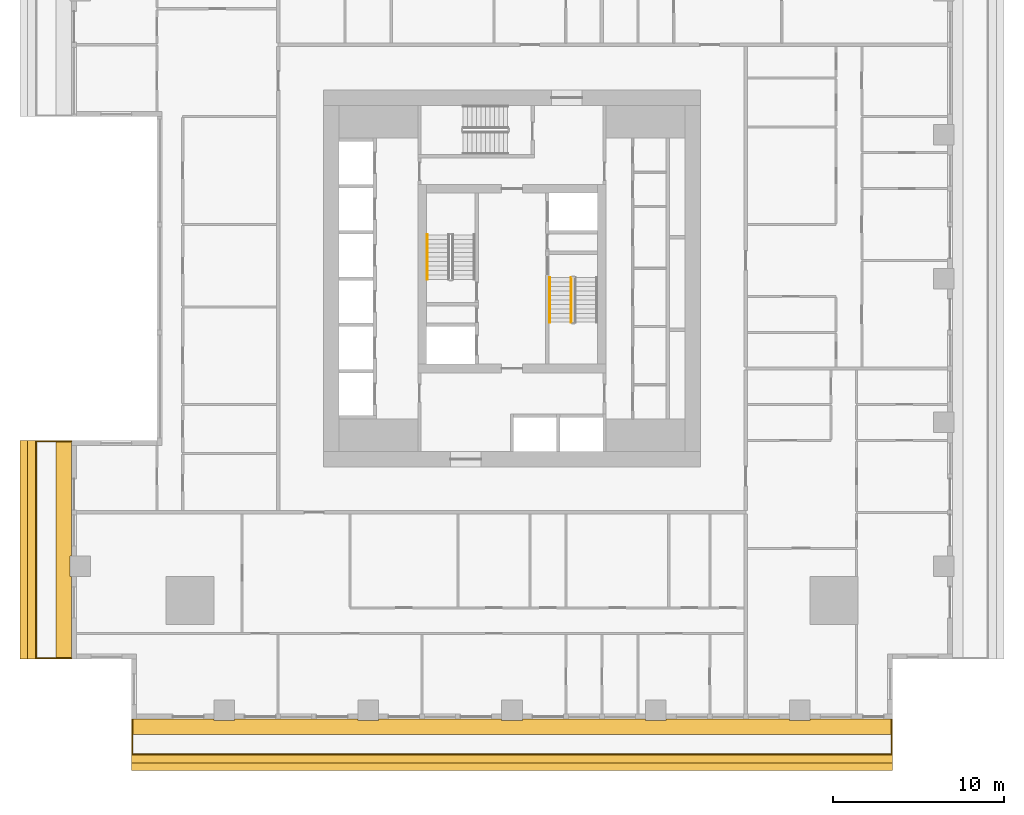
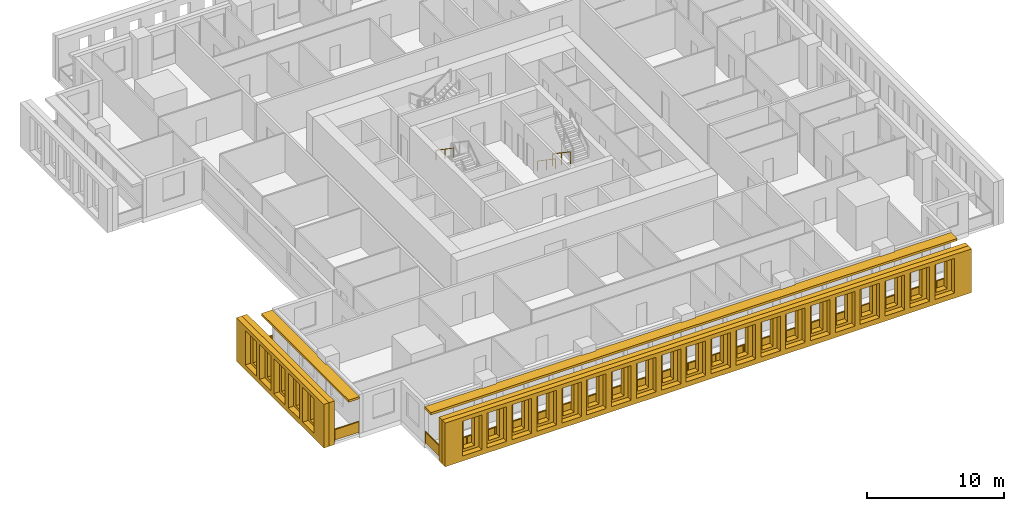
# One storey, part 10 of 14: 6 shading devices, 5 railings.
"""IFC4 building model written with IfcOpenShell, lengths in metres."""

from ifc_helpers import new_model, si_unit, direction, frame, origin, origin_2d, place, context, subcontext, project, spatial, polyline, rectangle, outline, extrude, material, layer, layer_set, type_object, element, save


model = new_model("IFC4")

# Units and contexts
model_context = context("Model", 3, precision=1e-05, world=origin(), true_north=direction((0.0, 1.0)))
body_context = subcontext(model_context, "Body", "Model", "MODEL_VIEW")
ifc_project = project(units=[si_unit("LENGTHUNIT", "METRE"), si_unit("AREAUNIT", "SQUARE_METRE"), si_unit("VOLUMEUNIT", "CUBIC_METRE"), si_unit("PLANEANGLEUNIT", "RADIAN"), si_unit("MASSUNIT", "GRAM", prefix="KILO")], contexts=[model_context])

# Site, building, storey
site_placement = place(None, origin())
site = spatial("IfcSite", under=ifc_project, at=site_placement, CompositionType="ELEMENT")
building_placement = place(site_placement, origin())
building = spatial("IfcBuilding", under=site, at=building_placement, Name="Khepri Terraces", CompositionType="ELEMENT")
storey_placement = place(building_placement, frame((0.0, 0.0, 106.5)))
storey = spatial("IfcBuildingStorey", under=building, at=storey_placement, Name="L25", CompositionType="ELEMENT", Elevation=106.5)

# Railings
ifc_material_1 = material(Name="Stainless steel grade 316", Category="steel")
railing_type_1 = type_object("IfcRailingType", Name="GRD-BAL-1100", PredefinedType="GUARDRAIL", material=ifc_material_1)
railing_1_placement = place(storey_placement, frame((-22.169921875, -25.719970703125, 0.0)))
element("IfcRailing", 1, at=railing_1_placement, inside=storey, type_object=railing_type_1, Name="Balcony guard L25 S", PredefinedType="GUARDRAIL", context=body_context, shape_type="SweptSolid", body=[
    extrude(rectangle(XDim=0.050048828125, YDim=0.06005859375, at=origin_2d()), frame((0.0, 0.0, 1.070068359375), z_axis=(0.0, -1.0, 0.0), x_axis=(1.0, 0.0, 0.0)), (0.0, 0.0, 1.0), 2.050048828125),
    extrude(rectangle(XDim=2.0, YDim=0.011962890625, at=origin_2d()), frame((0.0, -1.02490234375, 0.10009765625), z_axis=(0.0, 0.0, 1.0), x_axis=(0.0, -1.0, 0.0)), (0.0, 0.0, 1.0), 0.93994140625),
    extrude(rectangle(XDim=0.050048828125, YDim=0.06005859375, at=origin_2d()), frame((0.0, -2.050048828125, 1.070068359375), z_axis=(1.0, 0.0, 0.0), x_axis=(0.0, 1.0, 0.0)), (0.0, 0.0, 1.0), 44.33984375),
    extrude(rectangle(XDim=2.28369140625, YDim=0.011962890625, at=origin_2d()), frame((1.166748046875, -2.050048828125, 0.10009765625), z_axis=(0.0, 0.0, 1.0), x_axis=(1.0, 0.0, 0.0)), (0.0, 0.0, 1.0), 0.93994140625),
    extrude(rectangle(XDim=2.28369140625, YDim=0.011962890625, at=origin_2d()), frame((3.50048828125, -2.050048828125, 0.10009765625), z_axis=(0.0, 0.0, 1.0), x_axis=(1.0, 0.0, 0.0)), (0.0, 0.0, 1.0), 0.93994140625),
    extrude(rectangle(XDim=2.28369140625, YDim=0.011962890625, at=origin_2d()), frame((5.834228515625, -2.050048828125, 0.10009765625), z_axis=(0.0, 0.0, 1.0), x_axis=(1.0, 0.0, 0.0)), (0.0, 0.0, 1.0), 0.93994140625),
    extrude(rectangle(XDim=2.28369140625, YDim=0.011962890625, at=origin_2d()), frame((8.16796875, -2.050048828125, 0.10009765625), z_axis=(0.0, 0.0, 1.0), x_axis=(1.0, 0.0, 0.0)), (0.0, 0.0, 1.0), 0.93994140625),
    extrude(rectangle(XDim=2.28369140625, YDim=0.011962890625, at=origin_2d()), frame((10.50146484375, -2.050048828125, 0.10009765625), z_axis=(0.0, 0.0, 1.0), x_axis=(1.0, 0.0, 0.0)), (0.0, 0.0, 1.0), 0.93994140625),
    extrude(rectangle(XDim=2.28369140625, YDim=0.011962890625, at=origin_2d()), frame((12.835205078125, -2.050048828125, 0.10009765625), z_axis=(0.0, 0.0, 1.0), x_axis=(1.0, 0.0, 0.0)), (0.0, 0.0, 1.0), 0.93994140625),
    extrude(rectangle(XDim=2.28369140625, YDim=0.011962890625, at=origin_2d()), frame((15.1689453125, -2.050048828125, 0.10009765625), z_axis=(0.0, 0.0, 1.0), x_axis=(1.0, 0.0, 0.0)), (0.0, 0.0, 1.0), 0.93994140625),
    extrude(rectangle(XDim=2.28369140625, YDim=0.011962890625, at=origin_2d()), frame((17.502685546875, -2.050048828125, 0.10009765625), z_axis=(0.0, 0.0, 1.0), x_axis=(1.0, 0.0, 0.0)), (0.0, 0.0, 1.0), 0.93994140625),
    extrude(rectangle(XDim=2.28369140625, YDim=0.011962890625, at=origin_2d()), frame((19.836181640625, -2.050048828125, 0.10009765625), z_axis=(0.0, 0.0, 1.0), x_axis=(1.0, 0.0, 0.0)), (0.0, 0.0, 1.0), 0.93994140625),
    extrude(rectangle(XDim=2.28369140625, YDim=0.011962890625, at=origin_2d()), frame((22.169921875, -2.050048828125, 0.10009765625), z_axis=(0.0, 0.0, 1.0), x_axis=(1.0, 0.0, 0.0)), (0.0, 0.0, 1.0), 0.93994140625),
    extrude(rectangle(XDim=2.28369140625, YDim=0.011962890625, at=origin_2d()), frame((24.503662109375, -2.050048828125, 0.10009765625), z_axis=(0.0, 0.0, 1.0), x_axis=(1.0, 0.0, 0.0)), (0.0, 0.0, 1.0), 0.93994140625),
    extrude(rectangle(XDim=2.28369140625, YDim=0.011962890625, at=origin_2d()), frame((26.837158203125, -2.050048828125, 0.10009765625), z_axis=(0.0, 0.0, 1.0), x_axis=(1.0, 0.0, 0.0)), (0.0, 0.0, 1.0), 0.93994140625),
    extrude(rectangle(XDim=2.28369140625, YDim=0.011962890625, at=origin_2d()), frame((29.1708984375, -2.050048828125, 0.10009765625), z_axis=(0.0, 0.0, 1.0), x_axis=(1.0, 0.0, 0.0)), (0.0, 0.0, 1.0), 0.93994140625),
    extrude(rectangle(XDim=2.28369140625, YDim=0.011962890625, at=origin_2d()), frame((31.504638671875, -2.050048828125, 0.10009765625), z_axis=(0.0, 0.0, 1.0), x_axis=(1.0, 0.0, 0.0)), (0.0, 0.0, 1.0), 0.93994140625),
    extrude(rectangle(XDim=2.28369140625, YDim=0.011962890625, at=origin_2d()), frame((33.83837890625, -2.050048828125, 0.10009765625), z_axis=(0.0, 0.0, 1.0), x_axis=(1.0, 0.0, 0.0)), (0.0, 0.0, 1.0), 0.93994140625),
    extrude(rectangle(XDim=2.28369140625, YDim=0.011962890625, at=origin_2d()), frame((36.171875, -2.050048828125, 0.10009765625), z_axis=(0.0, 0.0, 1.0), x_axis=(1.0, 0.0, 0.0)), (0.0, 0.0, 1.0), 0.93994140625),
    extrude(rectangle(XDim=2.28369140625, YDim=0.011962890625, at=origin_2d()), frame((38.505615234375, -2.050048828125, 0.10009765625), z_axis=(0.0, 0.0, 1.0), x_axis=(1.0, 0.0, 0.0)), (0.0, 0.0, 1.0), 0.93994140625),
    extrude(rectangle(XDim=2.28369140625, YDim=0.011962890625, at=origin_2d()), frame((40.83935546875, -2.050048828125, 0.10009765625), z_axis=(0.0, 0.0, 1.0), x_axis=(1.0, 0.0, 0.0)), (0.0, 0.0, 1.0), 0.93994140625),
    extrude(rectangle(XDim=2.28369140625, YDim=0.011962890625, at=origin_2d()), frame((43.173095703125, -2.050048828125, 0.10009765625), z_axis=(0.0, 0.0, 1.0), x_axis=(1.0, 0.0, 0.0)), (0.0, 0.0, 1.0), 0.93994140625),
    extrude(rectangle(XDim=0.050048828125, YDim=0.06005859375, at=origin_2d()), frame((44.33984375, -2.050048828125, 1.070068359375), z_axis=(0.0, 1.0, 0.0), x_axis=(-1.0, 0.0, 0.0)), (0.0, 0.0, 1.0), 2.050048828125),
    extrude(rectangle(XDim=2.0, YDim=0.011962890625, at=origin_2d()), frame((44.33984375, -1.02490234375, 0.10009765625), z_axis=(0.0, 0.0, 1.0), x_axis=(0.0, 1.0, 0.0)), (0.0, 0.0, 1.0), 0.93994140625),
    extrude(rectangle(XDim=0.050048828125, YDim=0.050048828125, at=origin_2d()), origin(), (0.0, 0.0, 1.0), 1.0400390625),
    extrude(rectangle(XDim=0.050048828125, YDim=0.050048828125, at=origin_2d()), frame((0.0, -2.050048828125, 0.0)), (0.0, 0.0, 1.0), 1.0400390625),
    extrude(rectangle(XDim=0.050048828125, YDim=0.050048828125, at=origin_2d()), frame((2.333740234375, -2.050048828125, 0.0)), (0.0, 0.0, 1.0), 1.0400390625),
    extrude(rectangle(XDim=0.050048828125, YDim=0.050048828125, at=origin_2d()), frame((4.667236328125, -2.050048828125, 0.0)), (0.0, 0.0, 1.0), 1.0400390625),
    extrude(rectangle(XDim=0.050048828125, YDim=0.050048828125, at=origin_2d()), frame((7.0009765625, -2.050048828125, 0.0)), (0.0, 0.0, 1.0), 1.0400390625),
    extrude(rectangle(XDim=0.050048828125, YDim=0.050048828125, at=origin_2d()), frame((9.334716796875, -2.050048828125, 0.0)), (0.0, 0.0, 1.0), 1.0400390625),
    extrude(rectangle(XDim=0.050048828125, YDim=0.050048828125, at=origin_2d()), frame((11.66845703125, -2.050048828125, 0.0)), (0.0, 0.0, 1.0), 1.0400390625),
    extrude(rectangle(XDim=0.050048828125, YDim=0.050048828125, at=origin_2d()), frame((14.001953125, -2.050048828125, 0.0)), (0.0, 0.0, 1.0), 1.0400390625),
    extrude(rectangle(XDim=0.050048828125, YDim=0.050048828125, at=origin_2d()), frame((16.335693359375, -2.050048828125, 0.0)), (0.0, 0.0, 1.0), 1.0400390625),
    extrude(rectangle(XDim=0.050048828125, YDim=0.050048828125, at=origin_2d()), frame((18.66943359375, -2.050048828125, 0.0)), (0.0, 0.0, 1.0), 1.0400390625),
    extrude(rectangle(XDim=0.050048828125, YDim=0.050048828125, at=origin_2d()), frame((21.003173828125, -2.050048828125, 0.0)), (0.0, 0.0, 1.0), 1.0400390625),
    extrude(rectangle(XDim=0.050048828125, YDim=0.050048828125, at=origin_2d()), frame((23.336669921875, -2.050048828125, 0.0)), (0.0, 0.0, 1.0), 1.0400390625),
    extrude(rectangle(XDim=0.050048828125, YDim=0.050048828125, at=origin_2d()), frame((25.67041015625, -2.050048828125, 0.0)), (0.0, 0.0, 1.0), 1.0400390625),
    extrude(rectangle(XDim=0.050048828125, YDim=0.050048828125, at=origin_2d()), frame((28.004150390625, -2.050048828125, 0.0)), (0.0, 0.0, 1.0), 1.0400390625),
    extrude(rectangle(XDim=0.050048828125, YDim=0.050048828125, at=origin_2d()), frame((30.337890625, -2.050048828125, 0.0)), (0.0, 0.0, 1.0), 1.0400390625),
    extrude(rectangle(XDim=0.050048828125, YDim=0.050048828125, at=origin_2d()), frame((32.67138671875, -2.050048828125, 0.0)), (0.0, 0.0, 1.0), 1.0400390625),
    extrude(rectangle(XDim=0.050048828125, YDim=0.050048828125, at=origin_2d()), frame((35.005126953125, -2.050048828125, 0.0)), (0.0, 0.0, 1.0), 1.0400390625),
    extrude(rectangle(XDim=0.050048828125, YDim=0.050048828125, at=origin_2d()), frame((37.3388671875, -2.050048828125, 0.0)), (0.0, 0.0, 1.0), 1.0400390625),
    extrude(rectangle(XDim=0.050048828125, YDim=0.050048828125, at=origin_2d()), frame((39.672607421875, -2.050048828125, 0.0)), (0.0, 0.0, 1.0), 1.0400390625),
    extrude(rectangle(XDim=0.050048828125, YDim=0.050048828125, at=origin_2d()), frame((42.006103515625, -2.050048828125, 0.0)), (0.0, 0.0, 1.0), 1.0400390625),
    extrude(rectangle(XDim=0.050048828125, YDim=0.050048828125, at=origin_2d()), frame((44.33984375, -2.050048828125, 0.0)), (0.0, 0.0, 1.0), 1.0400390625),
    extrude(rectangle(XDim=0.050048828125, YDim=0.050048828125, at=origin_2d()), frame((44.33984375, 0.0, 0.0)), (0.0, 0.0, 1.0), 1.0400390625),
])
railing_2_placement = place(storey_placement, frame((-25.719970703125, -9.5, 0.0)))
element("IfcRailing", 2, at=railing_2_placement, inside=storey, type_object=railing_type_1, Name="Balcony guard L25 W", PredefinedType="GUARDRAIL", context=body_context, shape_type="SweptSolid", body=[
    extrude(rectangle(XDim=0.050048828125, YDim=0.06005859375, at=origin_2d()), frame((0.0, 0.0, 1.070068359375), z_axis=(-1.0, 0.0, 0.0), x_axis=(0.0, -1.0, 0.0)), (0.0, 0.0, 1.0), 2.050048828125),
    extrude(rectangle(XDim=2.0, YDim=0.011962890625, at=origin_2d()), frame((-1.02490234375, 0.0, 0.10009765625), z_axis=(0.0, 0.0, 1.0), x_axis=(-1.0, 0.0, 0.0)), (0.0, 0.0, 1.0), 0.93994140625),
    extrude(rectangle(XDim=0.050048828125, YDim=0.06005859375, at=origin_2d()), frame((-2.050048828125, 0.0, 1.070068359375), z_axis=(0.0, -1.0, 0.0), x_axis=(1.0, 0.0, 0.0)), (0.0, 0.0, 1.0), 12.669921875),
    extrude(rectangle(XDim=2.0615234375, YDim=0.011962890625, at=origin_2d()), frame((-2.050048828125, -1.055908203125, 0.10009765625), z_axis=(0.0, 0.0, 1.0), x_axis=(0.0, -1.0, 0.0)), (0.0, 0.0, 1.0), 0.93994140625),
    extrude(rectangle(XDim=2.0615234375, YDim=0.011962890625, at=origin_2d()), frame((-2.050048828125, -3.16748046875, 0.10009765625), z_axis=(0.0, 0.0, 1.0), x_axis=(0.0, -1.0, 0.0)), (0.0, 0.0, 1.0), 0.93994140625),
    extrude(rectangle(XDim=2.0615234375, YDim=0.011962890625, at=origin_2d()), frame((-2.050048828125, -5.279052734375, 0.10009765625), z_axis=(0.0, 0.0, 1.0), x_axis=(0.0, -1.0, 0.0)), (0.0, 0.0, 1.0), 0.93994140625),
    extrude(rectangle(XDim=2.0615234375, YDim=0.011962890625, at=origin_2d()), frame((-2.050048828125, -7.390869140625, 0.10009765625), z_axis=(0.0, 0.0, 1.0), x_axis=(0.0, -1.0, 0.0)), (0.0, 0.0, 1.0), 0.93994140625),
    extrude(rectangle(XDim=2.0615234375, YDim=0.011962890625, at=origin_2d()), frame((-2.050048828125, -9.50244140625, 0.10009765625), z_axis=(0.0, 0.0, 1.0), x_axis=(0.0, -1.0, 0.0)), (0.0, 0.0, 1.0), 0.93994140625),
    extrude(rectangle(XDim=2.0615234375, YDim=0.011962890625, at=origin_2d()), frame((-2.050048828125, -11.614013671875, 0.10009765625), z_axis=(0.0, 0.0, 1.0), x_axis=(0.0, -1.0, 0.0)), (0.0, 0.0, 1.0), 0.93994140625),
    extrude(rectangle(XDim=0.050048828125, YDim=0.06005859375, at=origin_2d()), frame((-2.050048828125, -12.669921875, 1.070068359375), z_axis=(1.0, 0.0, 0.0), x_axis=(0.0, 1.0, 0.0)), (0.0, 0.0, 1.0), 2.050048828125),
    extrude(rectangle(XDim=2.0, YDim=0.011962890625, at=origin_2d()), frame((-1.02490234375, -12.669921875, 0.10009765625), z_axis=(0.0, 0.0, 1.0), x_axis=(1.0, 0.0, 0.0)), (0.0, 0.0, 1.0), 0.93994140625),
    extrude(rectangle(XDim=0.050048828125, YDim=0.050048828125, at=origin_2d()), origin(), (0.0, 0.0, 1.0), 1.0400390625),
    extrude(rectangle(XDim=0.050048828125, YDim=0.050048828125, at=origin_2d()), frame((-2.050048828125, 0.0, 0.0)), (0.0, 0.0, 1.0), 1.0400390625),
    extrude(rectangle(XDim=0.050048828125, YDim=0.050048828125, at=origin_2d()), frame((-2.050048828125, -2.111572265625, 0.0)), (0.0, 0.0, 1.0), 1.0400390625),
    extrude(rectangle(XDim=0.050048828125, YDim=0.050048828125, at=origin_2d()), frame((-2.050048828125, -4.223388671875, 0.0)), (0.0, 0.0, 1.0), 1.0400390625),
    extrude(rectangle(XDim=0.050048828125, YDim=0.050048828125, at=origin_2d()), frame((-2.050048828125, -6.3349609375, 0.0)), (0.0, 0.0, 1.0), 1.0400390625),
    extrude(rectangle(XDim=0.050048828125, YDim=0.050048828125, at=origin_2d()), frame((-2.050048828125, -8.446533203125, 0.0)), (0.0, 0.0, 1.0), 1.0400390625),
    extrude(rectangle(XDim=0.050048828125, YDim=0.050048828125, at=origin_2d()), frame((-2.050048828125, -10.558349609375, 0.0)), (0.0, 0.0, 1.0), 1.0400390625),
    extrude(rectangle(XDim=0.050048828125, YDim=0.050048828125, at=origin_2d()), frame((-2.050048828125, -12.669921875, 0.0)), (0.0, 0.0, 1.0), 1.0400390625),
    extrude(rectangle(XDim=0.050048828125, YDim=0.050048828125, at=origin_2d()), frame((0.0, -12.669921875, 0.0)), (0.0, 0.0, 1.0), 1.0400390625),
])
ifc_material_2 = material(Name="Stainless steel 316", Category="steel")
railing_type_2 = type_object("IfcRailingType", Name="RL-CORE-GUARD", PredefinedType="GUARDRAIL", material=ifc_material_2)
railing_3_placement = place(storey_placement, frame((3.449951171875, 0.050048828125, 0.17724609375)))
element("IfcRailing", 3, at=railing_3_placement, inside=storey, type_object=railing_type_2, Name="L25 ST-2 stair guard 1", PredefinedType="GUARDRAIL", context=body_context, shape_type="SweptSolid", body=[
    extrude(rectangle(XDim=0.050048828125, YDim=0.06005859375, at=origin_2d()), frame((0.0, 0.0, 1.070068359375), z_axis=(0.0, -0.826240473404, 0.563317565952), x_axis=(1.0, 0.0, 0.0)), (0.0, 0.0, 1.0), 3.14697265625),
    extrude(rectangle(XDim=0.050048828125, YDim=0.050048828125, at=origin_2d()), origin(), (0.0, 0.0, 1.0), 1.0400390625),
    extrude(rectangle(XDim=0.050048828125, YDim=0.050048828125, at=origin_2d()), frame((0.0, -1.300048828125, 0.88623046875)), (0.0, 0.0, 1.0), 1.0400390625),
    extrude(rectangle(XDim=0.050048828125, YDim=0.050048828125, at=origin_2d()), frame((0.0, -2.60009765625, 1.772705078125)), (0.0, 0.0, 1.0), 1.0400390625),
])
railing_type_3 = type_object("IfcRailingType", Name="RL-CORE-HANDRAIL", PredefinedType="HANDRAIL", material=ifc_material_2)
for number, where, name in (
    (4, (-4.949951171875, 2.550048828125, 2.127197265625), "L25 ST-1 stair handrail 2"),
    (5, (2.199951171875, 0.050048828125, 0.17724609375), "L25 ST-2 stair handrail 1"),
):
    element("IfcRailing", number, at=place(storey_placement, frame(where)), inside=storey, type_object=railing_type_3, Name=name, PredefinedType="HANDRAIL", context=body_context, shape_type="SweptSolid", body=[
        extrude(rectangle(XDim=0.050048828125, YDim=0.050048828125, at=origin_2d()), frame((0.0, 0.0, 0.875), z_axis=(0.0, -0.826240473404, 0.563317565952), x_axis=(1.0, 0.0, 0.0)), (0.0, 0.0, 1.0), 3.14697265625),
        extrude(rectangle(XDim=0.050048828125, YDim=0.050048828125, at=origin_2d()), origin(), (0.0, 0.0, 1.0), 0.849853515625),
        extrude(rectangle(XDim=0.050048828125, YDim=0.050048828125, at=origin_2d()), frame((0.0, -1.300048828125, 0.88623046875)), (0.0, 0.0, 1.0), 0.849853515625),
        extrude(rectangle(XDim=0.050048828125, YDim=0.050048828125, at=origin_2d()), frame((0.0, -2.60009765625, 1.772705078125)), (0.0, 0.0, 1.0), 0.849853515625),
    ])

# Shading devices
ifc_material_3 = material(Name="Precast concrete C50/60 warm stone", Category="masonry")
shading_device_type_1 = type_object("IfcShadingDeviceType", Name="SCR-CELL-INNER-450", PredefinedType="USERDEFINED", material=ifc_material_3)
shading_device_1_placement = place(storey_placement, frame((-22.219970703125, -27.820068359375, -0.25), z_axis=(0.0, -1.0, 0.0), x_axis=(1.0, 0.0, 0.0)))
element("IfcShadingDevice", 6, at=shading_device_1_placement, inside=storey, type_object=shading_device_type_1, Name="Cell screen L25 S in", ObjectType="SCREEN", PredefinedType="USERDEFINED", context=body_context, shape_type="SweptSolid", body=[
    extrude(outline(polyline([(0.0, 0.0), (44.43994140625, 0.0), (44.43994140625, 3.89990234375), (0.0, 3.89990234375), (0.0, 0.0)]), holes=[polyline([(1.797607421875, 0.699951171875), (2.742431640625, 0.699951171875), (2.742431640625, 3.300048828125), (1.797607421875, 3.300048828125), (1.797607421875, 0.699951171875)]), polyline([(3.8974609375, 0.699951171875), (4.842529296875, 0.699951171875), (4.842529296875, 3.300048828125), (3.8974609375, 3.300048828125), (3.8974609375, 0.699951171875)]), polyline([(5.99755859375, 0.699951171875), (6.9423828125, 0.699951171875), (6.9423828125, 3.300048828125), (5.99755859375, 3.300048828125), (5.99755859375, 0.699951171875)]), polyline([(8.097412109375, 0.699951171875), (9.04248046875, 0.699951171875), (9.04248046875, 3.300048828125), (8.097412109375, 3.300048828125), (8.097412109375, 0.699951171875)]), polyline([(10.197509765625, 0.699951171875), (11.142578125, 0.699951171875), (11.142578125, 3.300048828125), (10.197509765625, 3.300048828125), (10.197509765625, 0.699951171875)]), polyline([(12.297607421875, 0.699951171875), (13.242431640625, 0.699951171875), (13.242431640625, 3.300048828125), (12.297607421875, 3.300048828125), (12.297607421875, 0.699951171875)]), polyline([(14.3974609375, 0.699951171875), (15.342529296875, 0.699951171875), (15.342529296875, 3.300048828125), (14.3974609375, 3.300048828125), (14.3974609375, 0.699951171875)]), polyline([(16.49755859375, 0.699951171875), (17.4423828125, 0.699951171875), (17.4423828125, 3.300048828125), (16.49755859375, 3.300048828125), (16.49755859375, 0.699951171875)]), polyline([(18.597412109375, 0.699951171875), (19.54248046875, 0.699951171875), (19.54248046875, 3.300048828125), (18.597412109375, 3.300048828125), (18.597412109375, 0.699951171875)]), polyline([(20.697509765625, 0.699951171875), (21.642578125, 0.699951171875), (21.642578125, 3.300048828125), (20.697509765625, 3.300048828125), (20.697509765625, 0.699951171875)]), polyline([(22.797607421875, 0.699951171875), (23.742431640625, 0.699951171875), (23.742431640625, 3.300048828125), (22.797607421875, 3.300048828125), (22.797607421875, 0.699951171875)]), polyline([(24.8974609375, 0.699951171875), (25.842529296875, 0.699951171875), (25.842529296875, 3.300048828125), (24.8974609375, 3.300048828125), (24.8974609375, 0.699951171875)]), polyline([(26.99755859375, 0.699951171875), (27.9423828125, 0.699951171875), (27.9423828125, 3.300048828125), (26.99755859375, 3.300048828125), (26.99755859375, 0.699951171875)]), polyline([(29.097412109375, 0.699951171875), (30.04248046875, 0.699951171875), (30.04248046875, 3.300048828125), (29.097412109375, 3.300048828125), (29.097412109375, 0.699951171875)]), polyline([(31.197509765625, 0.699951171875), (32.142578125, 0.699951171875), (32.142578125, 3.300048828125), (31.197509765625, 3.300048828125), (31.197509765625, 0.699951171875)]), polyline([(33.297607421875, 0.699951171875), (34.242431640625, 0.699951171875), (34.242431640625, 3.300048828125), (33.297607421875, 3.300048828125), (33.297607421875, 0.699951171875)]), polyline([(35.3974609375, 0.699951171875), (36.342529296875, 0.699951171875), (36.342529296875, 3.300048828125), (35.3974609375, 3.300048828125), (35.3974609375, 0.699951171875)]), polyline([(37.49755859375, 0.699951171875), (38.4423828125, 0.699951171875), (38.4423828125, 3.300048828125), (37.49755859375, 3.300048828125), (37.49755859375, 0.699951171875)]), polyline([(39.597412109375, 0.699951171875), (40.54248046875, 0.699951171875), (40.54248046875, 3.300048828125), (39.597412109375, 3.300048828125), (39.597412109375, 0.699951171875)]), polyline([(41.697509765625, 0.699951171875), (42.642578125, 0.699951171875), (42.642578125, 3.300048828125), (41.697509765625, 3.300048828125), (41.697509765625, 0.699951171875)])]), origin(), (0.0, 0.0, 1.0), 0.449951171875),
])
shading_device_2_placement = place(storey_placement, frame((-27.820068359375, -9.449951171875, -0.25), z_axis=(-1.0, 0.0, 0.0), x_axis=(0.0, -1.0, 0.0)))
element("IfcShadingDevice", 7, at=shading_device_2_placement, inside=storey, type_object=shading_device_type_1, Name="Cell screen L25 W in", ObjectType="SCREEN", PredefinedType="USERDEFINED", context=body_context, shape_type="SweptSolid", body=[
    extrude(outline(polyline([(0.0, 0.0), (12.77001953125, 0.0), (12.77001953125, 3.89990234375), (0.0, 3.89990234375), (0.0, 0.0)]), holes=[polyline([(1.62744140625, 0.699951171875), (2.572509765625, 0.699951171875), (2.572509765625, 3.300048828125), (1.62744140625, 3.300048828125), (1.62744140625, 0.699951171875)]), polyline([(3.7275390625, 0.699951171875), (4.672607421875, 0.699951171875), (4.672607421875, 3.300048828125), (3.7275390625, 3.300048828125), (3.7275390625, 0.699951171875)]), polyline([(5.827392578125, 0.699951171875), (6.7724609375, 0.699951171875), (6.7724609375, 3.300048828125), (5.827392578125, 3.300048828125), (5.827392578125, 0.699951171875)]), polyline([(7.927490234375, 0.699951171875), (8.87255859375, 0.699951171875), (8.87255859375, 3.300048828125), (7.927490234375, 3.300048828125), (7.927490234375, 0.699951171875)]), polyline([(10.027587890625, 0.699951171875), (10.972412109375, 0.699951171875), (10.972412109375, 3.300048828125), (10.027587890625, 3.300048828125), (10.027587890625, 0.699951171875)])]), origin(), (0.0, 0.0, 1.0), 0.449951171875),
])
shading_device_type_2 = type_object("IfcShadingDeviceType", Name="SCR-CELL-OUTER-450", PredefinedType="USERDEFINED", material=ifc_material_3)
shading_device_3_placement = place(storey_placement, frame((-22.219970703125, -28.27001953125, -0.25), z_axis=(0.0, -1.0, 0.0), x_axis=(1.0, 0.0, 0.0)))
element("IfcShadingDevice", 8, at=shading_device_3_placement, inside=storey, type_object=shading_device_type_2, Name="Cell screen L25 S out", ObjectType="SCREEN", PredefinedType="USERDEFINED", context=body_context, shape_type="SweptSolid", body=[
    extrude(outline(polyline([(0.0, 0.0), (44.43994140625, 0.0), (44.43994140625, 3.89990234375), (0.0, 3.89990234375), (0.0, 0.0)]), holes=[polyline([(1.447509765625, 0.449951171875), (3.092529296875, 0.449951171875), (3.092529296875, 3.550048828125), (1.447509765625, 3.550048828125), (1.447509765625, 0.449951171875)]), polyline([(3.547607421875, 0.449951171875), (5.1923828125, 0.449951171875), (5.1923828125, 3.550048828125), (3.547607421875, 3.550048828125), (3.547607421875, 0.449951171875)]), polyline([(5.6474609375, 0.449951171875), (7.29248046875, 0.449951171875), (7.29248046875, 3.550048828125), (5.6474609375, 3.550048828125), (5.6474609375, 0.449951171875)]), polyline([(7.74755859375, 0.449951171875), (9.392578125, 0.449951171875), (9.392578125, 3.550048828125), (7.74755859375, 3.550048828125), (7.74755859375, 0.449951171875)]), polyline([(9.847412109375, 0.449951171875), (11.492431640625, 0.449951171875), (11.492431640625, 3.550048828125), (9.847412109375, 3.550048828125), (9.847412109375, 0.449951171875)]), polyline([(11.947509765625, 0.449951171875), (13.592529296875, 0.449951171875), (13.592529296875, 3.550048828125), (11.947509765625, 3.550048828125), (11.947509765625, 0.449951171875)]), polyline([(14.047607421875, 0.449951171875), (15.6923828125, 0.449951171875), (15.6923828125, 3.550048828125), (14.047607421875, 3.550048828125), (14.047607421875, 0.449951171875)]), polyline([(16.1474609375, 0.449951171875), (17.79248046875, 0.449951171875), (17.79248046875, 3.550048828125), (16.1474609375, 3.550048828125), (16.1474609375, 0.449951171875)]), polyline([(18.24755859375, 0.449951171875), (19.892578125, 0.449951171875), (19.892578125, 3.550048828125), (18.24755859375, 3.550048828125), (18.24755859375, 0.449951171875)]), polyline([(20.347412109375, 0.449951171875), (21.992431640625, 0.449951171875), (21.992431640625, 3.550048828125), (20.347412109375, 3.550048828125), (20.347412109375, 0.449951171875)]), polyline([(22.447509765625, 0.449951171875), (24.092529296875, 0.449951171875), (24.092529296875, 3.550048828125), (22.447509765625, 3.550048828125), (22.447509765625, 0.449951171875)]), polyline([(24.547607421875, 0.449951171875), (26.1923828125, 0.449951171875), (26.1923828125, 3.550048828125), (24.547607421875, 3.550048828125), (24.547607421875, 0.449951171875)]), polyline([(26.6474609375, 0.449951171875), (28.29248046875, 0.449951171875), (28.29248046875, 3.550048828125), (26.6474609375, 3.550048828125), (26.6474609375, 0.449951171875)]), polyline([(28.74755859375, 0.449951171875), (30.392578125, 0.449951171875), (30.392578125, 3.550048828125), (28.74755859375, 3.550048828125), (28.74755859375, 0.449951171875)]), polyline([(30.847412109375, 0.449951171875), (32.492431640625, 0.449951171875), (32.492431640625, 3.550048828125), (30.847412109375, 3.550048828125), (30.847412109375, 0.449951171875)]), polyline([(32.947509765625, 0.449951171875), (34.592529296875, 0.449951171875), (34.592529296875, 3.550048828125), (32.947509765625, 3.550048828125), (32.947509765625, 0.449951171875)]), polyline([(35.047607421875, 0.449951171875), (36.6923828125, 0.449951171875), (36.6923828125, 3.550048828125), (35.047607421875, 3.550048828125), (35.047607421875, 0.449951171875)]), polyline([(37.1474609375, 0.449951171875), (38.79248046875, 0.449951171875), (38.79248046875, 3.550048828125), (37.1474609375, 3.550048828125), (37.1474609375, 0.449951171875)]), polyline([(39.24755859375, 0.449951171875), (40.892578125, 0.449951171875), (40.892578125, 3.550048828125), (39.24755859375, 3.550048828125), (39.24755859375, 0.449951171875)]), polyline([(41.347412109375, 0.449951171875), (42.992431640625, 0.449951171875), (42.992431640625, 3.550048828125), (41.347412109375, 3.550048828125), (41.347412109375, 0.449951171875)])]), origin(), (0.0, 0.0, 1.0), 0.449951171875),
])
shading_device_4_placement = place(storey_placement, frame((-28.27001953125, -9.449951171875, -0.25), z_axis=(-1.0, 0.0, 0.0), x_axis=(0.0, -1.0, 0.0)))
element("IfcShadingDevice", 9, at=shading_device_4_placement, inside=storey, type_object=shading_device_type_2, Name="Cell screen L25 W out", ObjectType="SCREEN", PredefinedType="USERDEFINED", context=body_context, shape_type="SweptSolid", body=[
    extrude(outline(polyline([(0.0, 0.0), (12.77001953125, 0.0), (12.77001953125, 3.89990234375), (0.0, 3.89990234375), (0.0, 0.0)]), holes=[polyline([(1.277587890625, 0.449951171875), (2.922607421875, 0.449951171875), (2.922607421875, 3.550048828125), (1.277587890625, 3.550048828125), (1.277587890625, 0.449951171875)]), polyline([(3.37744140625, 0.449951171875), (5.0224609375, 0.449951171875), (5.0224609375, 3.550048828125), (3.37744140625, 3.550048828125), (3.37744140625, 0.449951171875)]), polyline([(5.4775390625, 0.449951171875), (7.12255859375, 0.449951171875), (7.12255859375, 3.550048828125), (5.4775390625, 3.550048828125), (5.4775390625, 0.449951171875)]), polyline([(7.577392578125, 0.449951171875), (9.222412109375, 0.449951171875), (9.222412109375, 3.550048828125), (7.577392578125, 3.550048828125), (7.577392578125, 0.449951171875)]), polyline([(9.677490234375, 0.449951171875), (11.322509765625, 0.449951171875), (11.322509765625, 3.550048828125), (9.677490234375, 3.550048828125), (9.677490234375, 0.449951171875)])]), origin(), (0.0, 0.0, 1.0), 0.449951171875),
])
ifc_layer = layer(ifc_material_3, 0.199951171875, Name="Precast concrete C50/60 warm stone", Category="masonry")
ifc_layer_set = layer_set([ifc_layer], Name="Precast concrete C50/60 warm stone")
shading_device_type_3 = type_object("IfcShadingDeviceType", Name="SSH-BAND-STONE-200", PredefinedType="USERDEFINED", material=ifc_layer_set)
shading_device_5_placement = place(storey_placement, frame((0.0, 0.0, 3.10009765625)))
element("IfcShadingDevice", 10, at=shading_device_5_placement, inside=storey, type_object=shading_device_type_3, Name="Sunshade band L25 S", ObjectType="SUNSHADE", PredefinedType="USERDEFINED", context=body_context, shape_type="SweptSolid", body=[
    extrude(outline(polyline([(-17.39990234375, -25.719970703125), (-22.219970703125, -25.719970703125), (-22.219970703125, -26.6201171875), (22.219970703125, -26.6201171875), (22.219970703125, -25.719970703125), (17.39990234375, -25.719970703125), (17.39990234375, -25.800048828125), (16.199951171875, -25.800048828125), (16.199951171875, -25.719970703125), (9.0, -25.719970703125), (9.0, -25.800048828125), (7.800048828125, -25.800048828125), (7.800048828125, -25.719970703125), (0.60009765625, -25.719970703125), (0.60009765625, -25.800048828125), (-0.60009765625, -25.800048828125), (-0.60009765625, -25.719970703125), (-7.800048828125, -25.719970703125), (-7.800048828125, -25.800048828125), (-9.0, -25.800048828125), (-9.0, -25.719970703125), (-16.199951171875, -25.719970703125), (-16.199951171875, -25.800048828125), (-17.39990234375, -25.800048828125), (-17.39990234375, -25.719970703125)])), origin(), (0.0, 0.0, 1.0), 0.199951171875),
])
shading_device_6_placement = place(storey_placement, frame((0.0, 0.0, 3.10009765625)))
element("IfcShadingDevice", 11, at=shading_device_6_placement, inside=storey, type_object=shading_device_type_3, Name="Sunshade band L25 W", ObjectType="SUNSHADE", PredefinedType="USERDEFINED", context=body_context, shape_type="SweptSolid", body=[
    extrude(outline(polyline([(-25.719970703125, -16.199951171875), (-25.719970703125, -9.449951171875), (-26.6201171875, -9.449951171875), (-26.6201171875, -22.219970703125), (-25.719970703125, -22.219970703125), (-25.719970703125, -17.39990234375), (-25.800048828125, -17.39990234375), (-25.800048828125, -16.199951171875), (-25.719970703125, -16.199951171875)])), origin(), (0.0, 0.0, 1.0), 0.199951171875),
])

save(model, "model.ifc")
